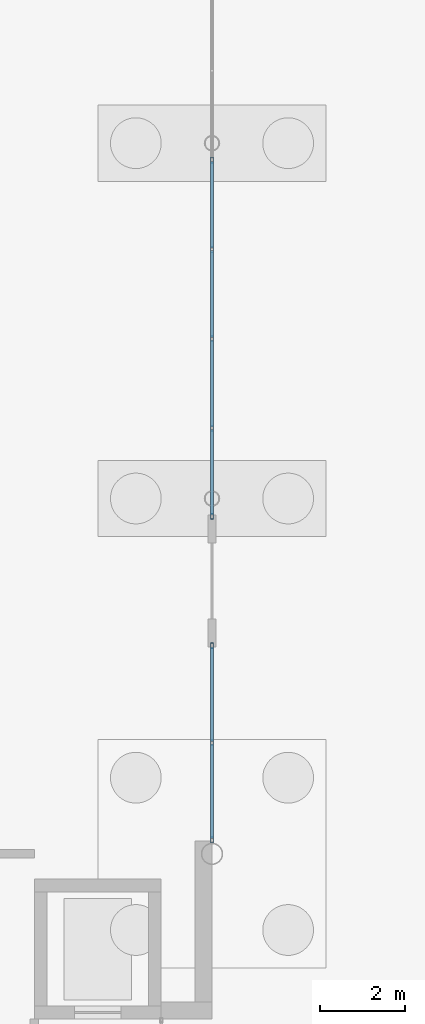
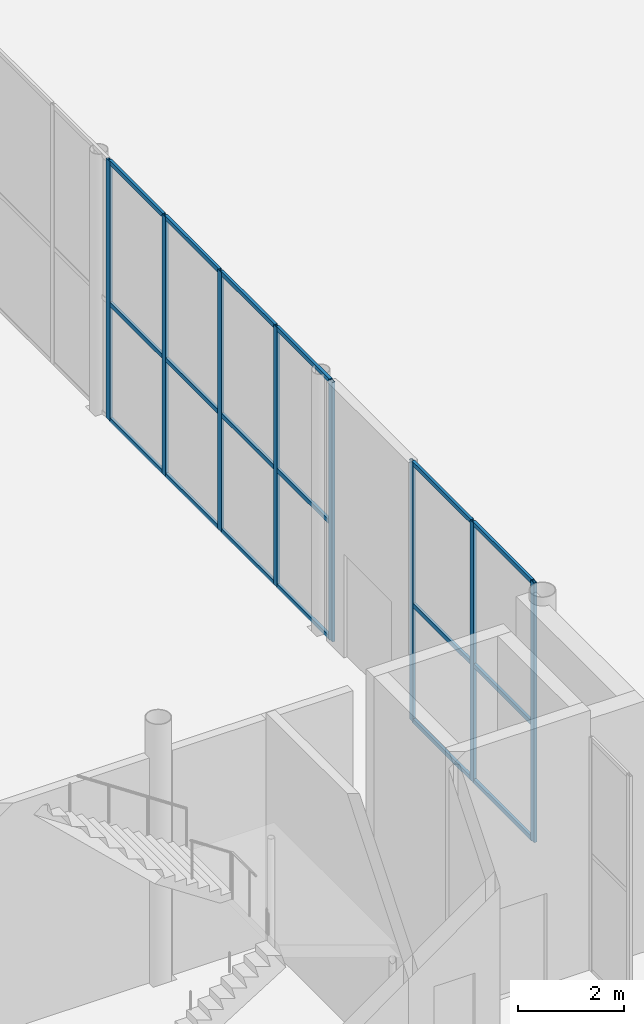
# One storey, part 123 of 212: 26 members, 2 elements without a shape of their own.
"""IFC4 building model written with IfcOpenShell, lengths in metres."""

from ifc_helpers import new_model, si_unit, direction, frame, origin, origin_2d, place, context, subcontext, project, spatial, hollow_rectangle, extrude, material, material_profile, profile_set, type_object, element, aggregate, save


model = new_model("IFC4")

# Units and contexts
model_context = context("Model", 3, precision=1e-05, world=origin(), true_north=direction((0.0, 1.0)))
body_context = subcontext(model_context, "Body", "Model", "MODEL_VIEW")
ifc_project = project(units=[si_unit("LENGTHUNIT", "METRE"), si_unit("AREAUNIT", "SQUARE_METRE"), si_unit("VOLUMEUNIT", "CUBIC_METRE"), si_unit("PLANEANGLEUNIT", "RADIAN"), si_unit("MASSUNIT", "GRAM", prefix="KILO")], contexts=[model_context])

# Site, building, storey
site_placement = place(None, origin())
site = spatial("IfcSite", under=ifc_project, at=site_placement, CompositionType="ELEMENT")
building_placement = place(site_placement, origin())
building = spatial("IfcBuilding", under=site, at=building_placement, Name="Catenary Quay Ferry Terminal", CompositionType="ELEMENT")
storey_placement = place(building_placement, origin())
storey = spatial("IfcBuildingStorey", under=building, at=storey_placement, Name="L00", CompositionType="ELEMENT", Elevation=0.0)

# Curtain wall, members
ifc_material_1 = material(Name="Aluminium and glass", Category="aluminium")
curtain_wall_type = type_object("IfcCurtainWallType", Name="CWG", PredefinedType="NOTDEFINED", material=ifc_material_1)
curtain_wall_1_placement = place(storey_placement, origin())
curtain_wall_1 = element("IfcCurtainWall", 1, at=curtain_wall_1_placement, inside=storey, type_object=curtain_wall_type, Name="Gable departure hall curtain wall CW18", PredefinedType="NOTDEFINED")
ifc_material_2 = material(Name="Aluminium", Category="aluminium")
ifc_material_profile_1 = material_profile(ifc_material_2, hollow_rectangle(XDim=0.06005859375, YDim=0.139892578125, WallThickness=0.006103515625, at=origin_2d()), Name="MU2")
ifc_profile_set_1 = profile_set([ifc_material_profile_1], Name="Aluminium")
member_type_1 = type_object("IfcMemberType", Name="MU2", PredefinedType="MULLION", material=ifc_profile_set_1)
member_1_placement = place(storey_placement, frame((92.39990234375, 109.530029296875, 0.0), z_axis=(0.0, 0.0, 1.0), x_axis=(-1.0, 0.0, 0.0)))
member_1 = element("IfcMember", 2, at=member_1_placement, type_object=member_type_1, Name="CW18 mullion 1", PredefinedType="MULLION", context=body_context, shape_type="SweptSolid", body=[
    extrude(hollow_rectangle(XDim=0.06005859375, YDim=0.139892578125, WallThickness=0.006103515625, at=origin_2d()), origin(), (0.0, 0.0, 1.0), 6.0),
])
member_2_placement = place(storey_placement, frame((92.39990234375, 111.824951171875, 0.0), z_axis=(0.0, 0.0, 1.0), x_axis=(-1.0, 0.0, 0.0)))
member_2 = element("IfcMember", 3, at=member_2_placement, type_object=member_type_1, Name="CW18 mullion 2", PredefinedType="MULLION", context=body_context, shape_type="SweptSolid", body=[
    extrude(hollow_rectangle(XDim=0.06005859375, YDim=0.139892578125, WallThickness=0.006103515625, at=origin_2d()), origin(), (0.0, 0.0, 1.0), 6.0),
])
member_3_placement = place(storey_placement, frame((92.39990234375, 114.1201171875, 0.0), z_axis=(0.0, 0.0, 1.0), x_axis=(-1.0, 0.0, 0.0)))
member_3 = element("IfcMember", 4, at=member_3_placement, type_object=member_type_1, Name="CW18 mullion 3", PredefinedType="MULLION", context=body_context, shape_type="SweptSolid", body=[
    extrude(hollow_rectangle(XDim=0.06005859375, YDim=0.139892578125, WallThickness=0.006103515625, at=origin_2d()), origin(), (0.0, 0.0, 1.0), 6.0),
])

curtain_wall_2_placement = place(storey_placement, origin())
curtain_wall_2 = element("IfcCurtainWall", 5, at=curtain_wall_2_placement, inside=storey, type_object=curtain_wall_type, Name="Gable departure hall curtain wall CW19", PredefinedType="NOTDEFINED")
member_4_placement = place(storey_placement, frame((92.39990234375, 117.179931640625, 0.0), z_axis=(0.0, 0.0, 1.0), x_axis=(-1.0, 0.0, 0.0)))
member_4 = element("IfcMember", 6, at=member_4_placement, type_object=member_type_1, Name="CW19 mullion 1", PredefinedType="MULLION", context=body_context, shape_type="SweptSolid", body=[
    extrude(hollow_rectangle(XDim=0.06005859375, YDim=0.139892578125, WallThickness=0.006103515625, at=origin_2d()), origin(), (0.0, 0.0, 1.0), 6.0),
])
member_5_placement = place(storey_placement, frame((92.39990234375, 119.262451171875, 0.0), z_axis=(0.0, 0.0, 1.0), x_axis=(-1.0, 0.0, 0.0)))
member_5 = element("IfcMember", 7, at=member_5_placement, type_object=member_type_1, Name="CW19 mullion 2", PredefinedType="MULLION", context=body_context, shape_type="SweptSolid", body=[
    extrude(hollow_rectangle(XDim=0.06005859375, YDim=0.139892578125, WallThickness=0.006103515625, at=origin_2d()), origin(), (0.0, 0.0, 1.0), 6.0),
])
member_6_placement = place(storey_placement, frame((92.39990234375, 121.375, 0.0), z_axis=(0.0, 0.0, 1.0), x_axis=(-1.0, 0.0, 0.0)))
member_6 = element("IfcMember", 8, at=member_6_placement, type_object=member_type_1, Name="CW19 mullion 3", PredefinedType="MULLION", context=body_context, shape_type="SweptSolid", body=[
    extrude(hollow_rectangle(XDim=0.06005859375, YDim=0.139892578125, WallThickness=0.006103515625, at=origin_2d()), origin(), (0.0, 0.0, 1.0), 6.0),
])
member_7_placement = place(storey_placement, frame((92.39990234375, 123.487548828125, 0.0), z_axis=(0.0, 0.0, 1.0), x_axis=(-1.0, 0.0, 0.0)))
member_7 = element("IfcMember", 9, at=member_7_placement, type_object=member_type_1, Name="CW19 mullion 4", PredefinedType="MULLION", context=body_context, shape_type="SweptSolid", body=[
    extrude(hollow_rectangle(XDim=0.06005859375, YDim=0.139892578125, WallThickness=0.006103515625, at=origin_2d()), origin(), (0.0, 0.0, 1.0), 6.0),
])
member_8_placement = place(storey_placement, frame((92.39990234375, 125.60009765625, 0.0), z_axis=(0.0, 0.0, 1.0), x_axis=(-1.0, 0.0, 0.0)))
member_8 = element("IfcMember", 10, at=member_8_placement, type_object=member_type_1, Name="CW19 mullion 5", PredefinedType="MULLION", context=body_context, shape_type="SweptSolid", body=[
    extrude(hollow_rectangle(XDim=0.06005859375, YDim=0.139892578125, WallThickness=0.006103515625, at=origin_2d()), origin(), (0.0, 0.0, 1.0), 6.0),
])

# Member
ifc_material_3 = material(Name="Aluminium", Category="aluminium")
ifc_material_profile_2 = material_profile(ifc_material_3, hollow_rectangle(XDim=0.06005859375, YDim=0.10009765625, WallThickness=0.0048828125, at=origin_2d()), Name="TR2")
ifc_profile_set_2 = profile_set([ifc_material_profile_2], Name="Aluminium")
member_type_2 = type_object("IfcMemberType", Name="TR2", PredefinedType="USERDEFINED", material=ifc_profile_set_2)
member_9_placement = place(storey_placement, frame((92.39990234375, 109.56005859375, 0.030029296875), z_axis=(0.0, 1.0, 0.0), x_axis=(-1.0, 0.0, 0.0)))
member_9 = element("IfcMember", 11, at=member_9_placement, type_object=member_type_2, Name="CW18 transom 1.1", ObjectType="TRANSOM", PredefinedType="USERDEFINED", context=body_context, shape_type="SweptSolid", body=[
    extrude(hollow_rectangle(XDim=0.06005859375, YDim=0.10009765625, WallThickness=0.0048828125, at=origin_2d()), origin(), (0.0, 0.0, 1.0), 2.23486328125),
])

member_10_placement = place(storey_placement, frame((92.39990234375, 109.56005859375, 2.699951171875), z_axis=(0.0, 1.0, 0.0), x_axis=(-1.0, 0.0, 0.0)))
member_10 = element("IfcMember", 12, at=member_10_placement, type_object=member_type_2, Name="CW18 transom 1.2", ObjectType="TRANSOM", PredefinedType="USERDEFINED", context=body_context, shape_type="SweptSolid", body=[
    extrude(hollow_rectangle(XDim=0.06005859375, YDim=0.10009765625, WallThickness=0.0048828125, at=origin_2d()), origin(), (0.0, 0.0, 1.0), 2.23486328125),
])

member_11_placement = place(storey_placement, frame((92.39990234375, 109.56005859375, 5.969970703125), z_axis=(0.0, 1.0, 0.0), x_axis=(-1.0, 0.0, 0.0)))
member_11 = element("IfcMember", 13, at=member_11_placement, type_object=member_type_2, Name="CW18 transom 1.3", ObjectType="TRANSOM", PredefinedType="USERDEFINED", context=body_context, shape_type="SweptSolid", body=[
    extrude(hollow_rectangle(XDim=0.06005859375, YDim=0.10009765625, WallThickness=0.0048828125, at=origin_2d()), origin(), (0.0, 0.0, 1.0), 2.23486328125),
])

member_12_placement = place(storey_placement, frame((92.39990234375, 111.85498046875, 0.030029296875), z_axis=(0.0, 1.0, 0.0), x_axis=(-1.0, 0.0, 0.0)))
member_12 = element("IfcMember", 14, at=member_12_placement, type_object=member_type_2, Name="CW18 transom 2.1", ObjectType="TRANSOM", PredefinedType="USERDEFINED", context=body_context, shape_type="SweptSolid", body=[
    extrude(hollow_rectangle(XDim=0.06005859375, YDim=0.10009765625, WallThickness=0.0048828125, at=origin_2d()), origin(), (0.0, 0.0, 1.0), 2.235107421875),
])

member_13_placement = place(storey_placement, frame((92.39990234375, 111.85498046875, 2.699951171875), z_axis=(0.0, 1.0, 0.0), x_axis=(-1.0, 0.0, 0.0)))
member_13 = element("IfcMember", 15, at=member_13_placement, type_object=member_type_2, Name="CW18 transom 2.2", ObjectType="TRANSOM", PredefinedType="USERDEFINED", context=body_context, shape_type="SweptSolid", body=[
    extrude(hollow_rectangle(XDim=0.06005859375, YDim=0.10009765625, WallThickness=0.0048828125, at=origin_2d()), origin(), (0.0, 0.0, 1.0), 2.235107421875),
])

member_14_placement = place(storey_placement, frame((92.39990234375, 111.85498046875, 5.969970703125), z_axis=(0.0, 1.0, 0.0), x_axis=(-1.0, 0.0, 0.0)))
member_14 = element("IfcMember", 16, at=member_14_placement, type_object=member_type_2, Name="CW18 transom 2.3", ObjectType="TRANSOM", PredefinedType="USERDEFINED", context=body_context, shape_type="SweptSolid", body=[
    extrude(hollow_rectangle(XDim=0.06005859375, YDim=0.10009765625, WallThickness=0.0048828125, at=origin_2d()), origin(), (0.0, 0.0, 1.0), 2.235107421875),
])

aggregate(curtain_wall_1, [member_1, member_2, member_3, member_9, member_10, member_11, member_12, member_13, member_14])

member_15_placement = place(storey_placement, frame((92.39990234375, 117.2099609375, 0.030029296875), z_axis=(0.0, 1.0, 0.0), x_axis=(-1.0, 0.0, 0.0)))
member_15 = element("IfcMember", 17, at=member_15_placement, type_object=member_type_2, Name="CW19 transom 1.1", ObjectType="TRANSOM", PredefinedType="USERDEFINED", context=body_context, shape_type="SweptSolid", body=[
    extrude(hollow_rectangle(XDim=0.06005859375, YDim=0.10009765625, WallThickness=0.0048828125, at=origin_2d()), origin(), (0.0, 0.0, 1.0), 2.0224609375),
])

member_16_placement = place(storey_placement, frame((92.39990234375, 117.2099609375, 2.699951171875), z_axis=(0.0, 1.0, 0.0), x_axis=(-1.0, 0.0, 0.0)))
member_16 = element("IfcMember", 18, at=member_16_placement, type_object=member_type_2, Name="CW19 transom 1.2", ObjectType="TRANSOM", PredefinedType="USERDEFINED", context=body_context, shape_type="SweptSolid", body=[
    extrude(hollow_rectangle(XDim=0.06005859375, YDim=0.10009765625, WallThickness=0.0048828125, at=origin_2d()), origin(), (0.0, 0.0, 1.0), 2.0224609375),
])

member_17_placement = place(storey_placement, frame((92.39990234375, 117.2099609375, 5.969970703125), z_axis=(0.0, 1.0, 0.0), x_axis=(-1.0, 0.0, 0.0)))
member_17 = element("IfcMember", 19, at=member_17_placement, type_object=member_type_2, Name="CW19 transom 1.3", ObjectType="TRANSOM", PredefinedType="USERDEFINED", context=body_context, shape_type="SweptSolid", body=[
    extrude(hollow_rectangle(XDim=0.06005859375, YDim=0.10009765625, WallThickness=0.0048828125, at=origin_2d()), origin(), (0.0, 0.0, 1.0), 2.0224609375),
])

member_18_placement = place(storey_placement, frame((92.39990234375, 119.29248046875, 0.030029296875), z_axis=(0.0, 1.0, 0.0), x_axis=(-1.0, 0.0, 0.0)))
member_18 = element("IfcMember", 20, at=member_18_placement, type_object=member_type_2, Name="CW19 transom 2.1", ObjectType="TRANSOM", PredefinedType="USERDEFINED", context=body_context, shape_type="SweptSolid", body=[
    extrude(hollow_rectangle(XDim=0.06005859375, YDim=0.10009765625, WallThickness=0.0048828125, at=origin_2d()), origin(), (0.0, 0.0, 1.0), 2.052490234375),
])

member_19_placement = place(storey_placement, frame((92.39990234375, 119.29248046875, 2.699951171875), z_axis=(0.0, 1.0, 0.0), x_axis=(-1.0, 0.0, 0.0)))
member_19 = element("IfcMember", 21, at=member_19_placement, type_object=member_type_2, Name="CW19 transom 2.2", ObjectType="TRANSOM", PredefinedType="USERDEFINED", context=body_context, shape_type="SweptSolid", body=[
    extrude(hollow_rectangle(XDim=0.06005859375, YDim=0.10009765625, WallThickness=0.0048828125, at=origin_2d()), origin(), (0.0, 0.0, 1.0), 2.052490234375),
])

member_20_placement = place(storey_placement, frame((92.39990234375, 119.29248046875, 5.969970703125), z_axis=(0.0, 1.0, 0.0), x_axis=(-1.0, 0.0, 0.0)))
member_20 = element("IfcMember", 22, at=member_20_placement, type_object=member_type_2, Name="CW19 transom 2.3", ObjectType="TRANSOM", PredefinedType="USERDEFINED", context=body_context, shape_type="SweptSolid", body=[
    extrude(hollow_rectangle(XDim=0.06005859375, YDim=0.10009765625, WallThickness=0.0048828125, at=origin_2d()), origin(), (0.0, 0.0, 1.0), 2.052490234375),
])

member_21_placement = place(storey_placement, frame((92.39990234375, 121.405029296875, 0.030029296875), z_axis=(0.0, 1.0, 0.0), x_axis=(-1.0, 0.0, 0.0)))
member_21 = element("IfcMember", 23, at=member_21_placement, type_object=member_type_2, Name="CW19 transom 3.1", ObjectType="TRANSOM", PredefinedType="USERDEFINED", context=body_context, shape_type="SweptSolid", body=[
    extrude(hollow_rectangle(XDim=0.06005859375, YDim=0.10009765625, WallThickness=0.0048828125, at=origin_2d()), origin(), (0.0, 0.0, 1.0), 2.052490234375),
])

member_22_placement = place(storey_placement, frame((92.39990234375, 121.405029296875, 2.699951171875), z_axis=(0.0, 1.0, 0.0), x_axis=(-1.0, 0.0, 0.0)))
member_22 = element("IfcMember", 24, at=member_22_placement, type_object=member_type_2, Name="CW19 transom 3.2", ObjectType="TRANSOM", PredefinedType="USERDEFINED", context=body_context, shape_type="SweptSolid", body=[
    extrude(hollow_rectangle(XDim=0.06005859375, YDim=0.10009765625, WallThickness=0.0048828125, at=origin_2d()), origin(), (0.0, 0.0, 1.0), 2.052490234375),
])

member_23_placement = place(storey_placement, frame((92.39990234375, 121.405029296875, 5.969970703125), z_axis=(0.0, 1.0, 0.0), x_axis=(-1.0, 0.0, 0.0)))
member_23 = element("IfcMember", 25, at=member_23_placement, type_object=member_type_2, Name="CW19 transom 3.3", ObjectType="TRANSOM", PredefinedType="USERDEFINED", context=body_context, shape_type="SweptSolid", body=[
    extrude(hollow_rectangle(XDim=0.06005859375, YDim=0.10009765625, WallThickness=0.0048828125, at=origin_2d()), origin(), (0.0, 0.0, 1.0), 2.052490234375),
])

member_24_placement = place(storey_placement, frame((92.39990234375, 123.517578125, 0.030029296875), z_axis=(0.0, 1.0, 0.0), x_axis=(-1.0, 0.0, 0.0)))
member_24 = element("IfcMember", 26, at=member_24_placement, type_object=member_type_2, Name="CW19 transom 4.1", ObjectType="TRANSOM", PredefinedType="USERDEFINED", context=body_context, shape_type="SweptSolid", body=[
    extrude(hollow_rectangle(XDim=0.06005859375, YDim=0.10009765625, WallThickness=0.0048828125, at=origin_2d()), origin(), (0.0, 0.0, 1.0), 2.052490234375),
])

member_25_placement = place(storey_placement, frame((92.39990234375, 123.517578125, 2.699951171875), z_axis=(0.0, 1.0, 0.0), x_axis=(-1.0, 0.0, 0.0)))
member_25 = element("IfcMember", 27, at=member_25_placement, type_object=member_type_2, Name="CW19 transom 4.2", ObjectType="TRANSOM", PredefinedType="USERDEFINED", context=body_context, shape_type="SweptSolid", body=[
    extrude(hollow_rectangle(XDim=0.06005859375, YDim=0.10009765625, WallThickness=0.0048828125, at=origin_2d()), origin(), (0.0, 0.0, 1.0), 2.052490234375),
])

member_26_placement = place(storey_placement, frame((92.39990234375, 123.517578125, 5.969970703125), z_axis=(0.0, 1.0, 0.0), x_axis=(-1.0, 0.0, 0.0)))
member_26 = element("IfcMember", 28, at=member_26_placement, type_object=member_type_2, Name="CW19 transom 4.3", ObjectType="TRANSOM", PredefinedType="USERDEFINED", context=body_context, shape_type="SweptSolid", body=[
    extrude(hollow_rectangle(XDim=0.06005859375, YDim=0.10009765625, WallThickness=0.0048828125, at=origin_2d()), origin(), (0.0, 0.0, 1.0), 2.052490234375),
])

aggregate(curtain_wall_2, [member_4, member_5, member_6, member_7, member_8, member_15, member_16, member_17, member_18, member_19, member_20, member_21, member_22, member_23, member_24, member_25, member_26])

save(model, "model.ifc")
